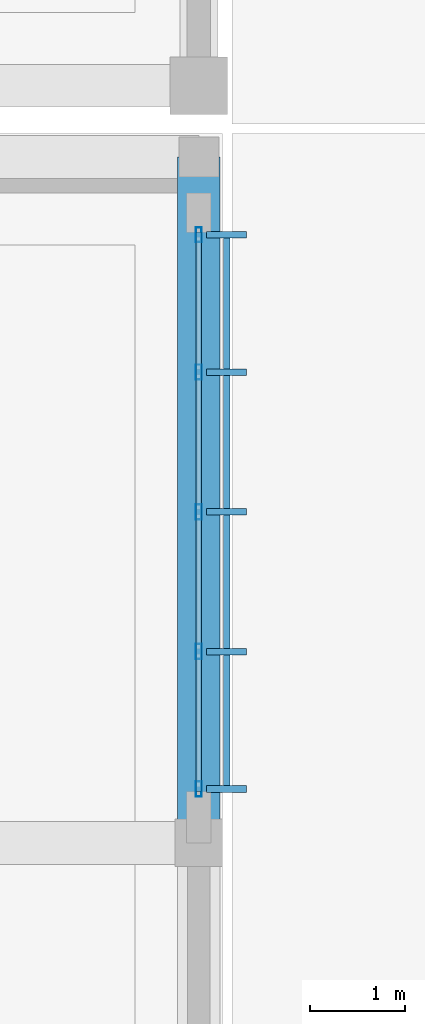
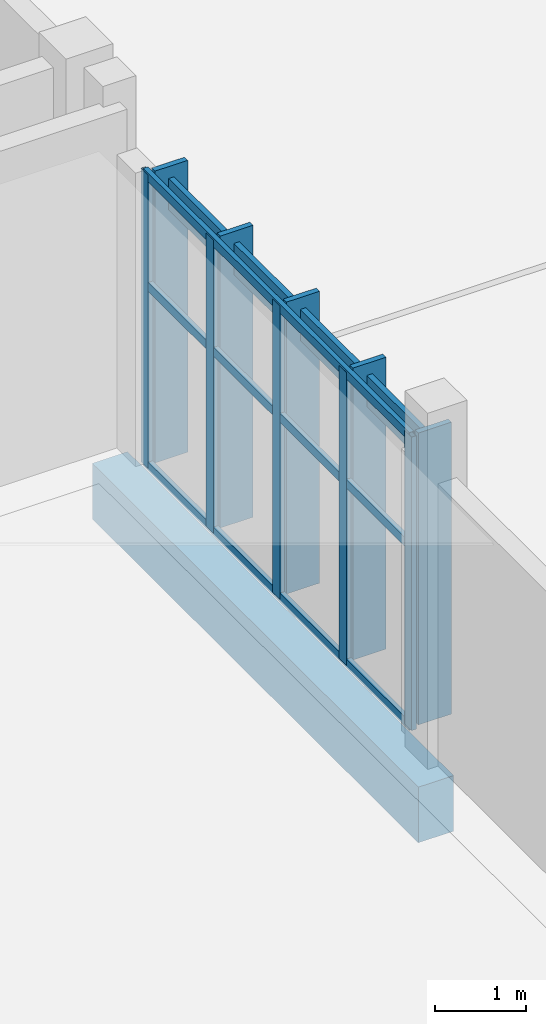
# One storey, part 59 of 151: 14 members, 1 beam, 1 element without a shape of its own.
"""IFC4 building model written with IfcOpenShell, lengths in metres."""

from ifc_helpers import new_model, si_unit, direction, frame, origin, origin_2d, place, context, subcontext, project, spatial, rectangle, hollow_rectangle, extrude, material, material_profile, profile_set, type_object, element, aggregate, save


model = new_model("IFC4")

# Units and contexts
model_context = context("Model", 3, precision=1e-05, world=origin(), true_north=direction((0.0, 1.0)))
body_context = subcontext(model_context, "Body", "Model", "MODEL_VIEW")
ifc_project = project(units=[si_unit("LENGTHUNIT", "METRE"), si_unit("AREAUNIT", "SQUARE_METRE"), si_unit("VOLUMEUNIT", "CUBIC_METRE"), si_unit("PLANEANGLEUNIT", "RADIAN"), si_unit("MASSUNIT", "GRAM", prefix="KILO")], contexts=[model_context])

# Site, building, storey
site_placement = place(None, origin())
site = spatial("IfcSite", under=ifc_project, at=site_placement, CompositionType="ELEMENT")
building_placement = place(site_placement, origin())
building = spatial("IfcBuilding", under=site, at=building_placement, Name="Chiffa Square Polytechnic", CompositionType="ELEMENT")
storey_placement = place(building_placement, origin())
storey = spatial("IfcBuildingStorey", under=building, at=storey_placement, Name="L00", CompositionType="ELEMENT", Elevation=0.0)

# Curtain wall, members
ifc_material_1 = material(Name="Aluminium EN AW-6060 T66 and glulam shading", Category="wood")
curtain_wall_type = type_object("IfcCurtainWallType", Name="CW-VERT-450X380", PredefinedType="USERDEFINED", material=ifc_material_1)
curtain_wall_placement = place(storey_placement, origin())
curtain_wall = element("IfcCurtainWall", 1, at=curtain_wall_placement, inside=storey, type_object=curtain_wall_type, Name="Curtain wall CW-V6-L00-250", ObjectType="CURTAIN WALL", PredefinedType="USERDEFINED")
ifc_material_2 = material(Name="Aluminium EN AW-6060 T66", Category="aluminium")
ifc_material_profile_1 = material_profile(ifc_material_2, hollow_rectangle(XDim=0.06005859375, YDim=0.159912109375, WallThickness=0.00390625, at=origin_2d()), Name="ALU 60x160x4")
ifc_profile_set_1 = profile_set([ifc_material_profile_1], Name="Aluminium EN AW-6060 T66")
member_type_1 = type_object("IfcMemberType", Name="CWM-ALU-65X150", PredefinedType="MULLION", material=ifc_profile_set_1)
member_1_placement = place(storey_placement, frame((48.0, 87.56494140625, 0.0), z_axis=(0.0, 0.0, 1.0), x_axis=(1.0, 0.0, 0.0)))
member_1 = element("IfcMember", 2, at=member_1_placement, type_object=member_type_1, Name="Curtain wall mullion CW-V6-L00-250-M00", PredefinedType="MULLION", context=body_context, shape_type="SweptSolid", body=[
    extrude(hollow_rectangle(XDim=0.06005859375, YDim=0.159912109375, WallThickness=0.00390625, at=origin_2d()), origin(), (0.0, 0.0, 1.0), 3.955078125),
])
member_2_placement = place(storey_placement, frame((48.0, 89.008056640625, 0.0), z_axis=(0.0, 0.0, 1.0), x_axis=(1.0, 0.0, 0.0)))
member_2 = element("IfcMember", 3, at=member_2_placement, type_object=member_type_1, Name="Curtain wall mullion CW-V6-L00-250-M01", PredefinedType="MULLION", context=body_context, shape_type="SweptSolid", body=[
    extrude(hollow_rectangle(XDim=0.06005859375, YDim=0.159912109375, WallThickness=0.00390625, at=origin_2d()), origin(), (0.0, 0.0, 1.0), 3.955078125),
])
member_3_placement = place(storey_placement, frame((48.0, 90.47509765625, 0.0), z_axis=(0.0, 0.0, 1.0), x_axis=(1.0, 0.0, 0.0)))
member_3 = element("IfcMember", 4, at=member_3_placement, type_object=member_type_1, Name="Curtain wall mullion CW-V6-L00-250-M02", PredefinedType="MULLION", context=body_context, shape_type="SweptSolid", body=[
    extrude(hollow_rectangle(XDim=0.06005859375, YDim=0.159912109375, WallThickness=0.00390625, at=origin_2d()), origin(), (0.0, 0.0, 1.0), 3.955078125),
])
member_4_placement = place(storey_placement, frame((48.0, 91.94189453125, 0.0), z_axis=(0.0, 0.0, 1.0), x_axis=(1.0, 0.0, 0.0)))
member_4 = element("IfcMember", 5, at=member_4_placement, type_object=member_type_1, Name="Curtain wall mullion CW-V6-L00-250-M03", PredefinedType="MULLION", context=body_context, shape_type="SweptSolid", body=[
    extrude(hollow_rectangle(XDim=0.06005859375, YDim=0.159912109375, WallThickness=0.00390625, at=origin_2d()), origin(), (0.0, 0.0, 1.0), 3.955078125),
])
member_5_placement = place(storey_placement, frame((48.0, 93.385009765625, 0.0), z_axis=(0.0, 0.0, 1.0), x_axis=(1.0, 0.0, 0.0)))
member_5 = element("IfcMember", 6, at=member_5_placement, type_object=member_type_1, Name="Curtain wall mullion CW-V6-L00-250-M04", PredefinedType="MULLION", context=body_context, shape_type="SweptSolid", body=[
    extrude(hollow_rectangle(XDim=0.06005859375, YDim=0.159912109375, WallThickness=0.00390625, at=origin_2d()), origin(), (0.0, 0.0, 1.0), 3.955078125),
])
ifc_material_3 = material(Name="Glulam GL28h", Category="wood")
ifc_material_profile_2 = material_profile(ifc_material_3, rectangle(XDim=0.070068359375, YDim=0.419921875, at=origin_2d()), Name="GL28h 70x420")
ifc_profile_set_2 = profile_set([ifc_material_profile_2], Name="Glulam GL28h")
member_type_2 = type_object("IfcMemberType", Name="CWM-GL-70X420", PredefinedType="MULLION", material=ifc_profile_set_2)
member_6_placement = place(storey_placement, frame((48.2919921875, 87.56494140625, 0.010009765625), z_axis=(0.0, 0.0, 1.0), x_axis=(0.0, 1.0, 0.0)))
member_6 = element("IfcMember", 7, at=member_6_placement, type_object=member_type_2, Name="Exterior glulam solar fin CW-V6-L00-250-FN00", PredefinedType="MULLION", context=body_context, shape_type="SweptSolid", body=[
    extrude(rectangle(XDim=0.070068359375, YDim=0.419921875, at=origin_2d()), origin(), (0.0, 0.0, 1.0), 3.93505859375),
])
member_7_placement = place(storey_placement, frame((48.2919921875, 89.008056640625, 0.010009765625), z_axis=(0.0, 0.0, 1.0), x_axis=(0.0, 1.0, 0.0)))
member_7 = element("IfcMember", 8, at=member_7_placement, type_object=member_type_2, Name="Exterior glulam solar fin CW-V6-L00-250-FN01", PredefinedType="MULLION", context=body_context, shape_type="SweptSolid", body=[
    extrude(rectangle(XDim=0.070068359375, YDim=0.419921875, at=origin_2d()), origin(), (0.0, 0.0, 1.0), 3.93505859375),
])
member_8_placement = place(storey_placement, frame((48.2919921875, 90.47509765625, 0.010009765625), z_axis=(0.0, 0.0, 1.0), x_axis=(0.0, 1.0, 0.0)))
member_8 = element("IfcMember", 9, at=member_8_placement, type_object=member_type_2, Name="Exterior glulam solar fin CW-V6-L00-250-FN02", PredefinedType="MULLION", context=body_context, shape_type="SweptSolid", body=[
    extrude(rectangle(XDim=0.070068359375, YDim=0.419921875, at=origin_2d()), origin(), (0.0, 0.0, 1.0), 3.93505859375),
])
member_9_placement = place(storey_placement, frame((48.2919921875, 91.94189453125, 0.010009765625), z_axis=(0.0, 0.0, 1.0), x_axis=(0.0, 1.0, 0.0)))
member_9 = element("IfcMember", 10, at=member_9_placement, type_object=member_type_2, Name="Exterior glulam solar fin CW-V6-L00-250-FN03", PredefinedType="MULLION", context=body_context, shape_type="SweptSolid", body=[
    extrude(rectangle(XDim=0.070068359375, YDim=0.419921875, at=origin_2d()), origin(), (0.0, 0.0, 1.0), 3.93505859375),
])
member_10_placement = place(storey_placement, frame((48.2919921875, 93.385009765625, 0.010009765625), z_axis=(0.0, 0.0, 1.0), x_axis=(0.0, 1.0, 0.0)))
member_10 = element("IfcMember", 11, at=member_10_placement, type_object=member_type_2, Name="Exterior glulam solar fin CW-V6-L00-250-FN04", PredefinedType="MULLION", context=body_context, shape_type="SweptSolid", body=[
    extrude(rectangle(XDim=0.070068359375, YDim=0.419921875, at=origin_2d()), origin(), (0.0, 0.0, 1.0), 3.93505859375),
])
ifc_material_profile_3 = material_profile(ifc_material_2, hollow_rectangle(XDim=0.06005859375, YDim=0.1201171875, WallThickness=0.00390625, at=origin_2d()), Name="ALU 60x120x4")
ifc_profile_set_3 = profile_set([ifc_material_profile_3], Name="Aluminium EN AW-6060 T66")
member_type_3 = type_object("IfcMemberType", Name="CWT-ALU-65X120", PredefinedType="USERDEFINED", material=ifc_profile_set_3)
member_11_placement = place(storey_placement, frame((48.0, 87.5380859375, 0.030029296875), z_axis=(0.0, 1.0, 0.0), x_axis=(-1.0, 0.0, 0.0)))
member_11 = element("IfcMember", 12, at=member_11_placement, type_object=member_type_3, Name="Curtain wall transom CW-V6-L00-250-T01", ObjectType="TRANSOM", PredefinedType="USERDEFINED", context=body_context, shape_type="SweptSolid", body=[
    extrude(hollow_rectangle(XDim=0.06005859375, YDim=0.1201171875, WallThickness=0.00390625, at=origin_2d()), origin(), (0.0, 0.0, 1.0), 5.8740234375),
])
member_12_placement = place(storey_placement, frame((48.0, 87.5380859375, 2.451904296875), z_axis=(0.0, 1.0, 0.0), x_axis=(-1.0, 0.0, 0.0)))
member_12 = element("IfcMember", 13, at=member_12_placement, type_object=member_type_3, Name="Curtain wall transom CW-V6-L00-250-T02", ObjectType="TRANSOM", PredefinedType="USERDEFINED", context=body_context, shape_type="SweptSolid", body=[
    extrude(hollow_rectangle(XDim=0.06005859375, YDim=0.1201171875, WallThickness=0.00390625, at=origin_2d()), origin(), (0.0, 0.0, 1.0), 5.8740234375),
])
member_13_placement = place(storey_placement, frame((48.0, 87.5380859375, 3.925048828125), z_axis=(0.0, 1.0, 0.0), x_axis=(-1.0, 0.0, 0.0)))
member_13 = element("IfcMember", 14, at=member_13_placement, type_object=member_type_3, Name="Curtain wall transom CW-V6-L00-250-T03", ObjectType="TRANSOM", PredefinedType="USERDEFINED", context=body_context, shape_type="SweptSolid", body=[
    extrude(hollow_rectangle(XDim=0.06005859375, YDim=0.1201171875, WallThickness=0.00390625, at=origin_2d()), origin(), (0.0, 0.0, 1.0), 5.8740234375),
])
ifc_material_profile_4 = material_profile(ifc_material_3, rectangle(XDim=0.070068359375, YDim=0.419921875, at=origin_2d()), Name="GL28h 70x420")
ifc_profile_set_4 = profile_set([ifc_material_profile_4], Name="Glulam GL28h")
member_type_4 = type_object("IfcMemberType", Name="CWT-GL-70X420", PredefinedType="USERDEFINED", material=ifc_profile_set_4)
member_14_placement = place(storey_placement, frame((48.2919921875, 87.56494140625, 3.574951171875), z_axis=(0.0, 1.0, 0.0), x_axis=(-1.0, 0.0, 0.0)))
member_14 = element("IfcMember", 15, at=member_14_placement, type_object=member_type_4, Name="Exterior glulam brise-soleil CW-V6-L00-250-BS01", ObjectType="TRANSOM", PredefinedType="USERDEFINED", context=body_context, shape_type="SweptSolid", body=[
    extrude(rectangle(XDim=0.070068359375, YDim=0.419921875, at=origin_2d()), origin(), (0.0, 0.0, 1.0), 5.820068359375),
])
aggregate(curtain_wall, [member_1, member_6, member_2, member_7, member_3, member_8, member_4, member_9, member_5, member_10, member_11, member_12, member_13, member_14])

# Beam
ifc_material_4 = material(Name="Concrete C35/45", Category="concrete")
ifc_material_profile_5 = material_profile(ifc_material_4, rectangle(XDim=0.449951171875, YDim=0.75, at=origin_2d()), Name="RC 450x750")
ifc_profile_set_5 = profile_set([ifc_material_profile_5], Name="Concrete C35/45")
beam_type = type_object("IfcBeamType", Name="GB-RC-450X750", PredefinedType="BEAM", material=ifc_profile_set_5)
beam_placement = place(storey_placement, frame((48.0, 87.0, -0.77490234375), z_axis=(0.0, 1.0, 0.0), x_axis=(-1.0, 0.0, 0.0)))
element("IfcBeam", 16, at=beam_placement, inside=storey, type_object=beam_type, Name="Ground tie beam GB-V6-Y-246", PredefinedType="BEAM", context=body_context, shape_type="SweptSolid", body=[
    extrude(rectangle(XDim=0.449951171875, YDim=0.75, at=origin_2d()), origin(), (0.0, 0.0, 1.0), 7.199951171875),
])

save(model, "model.ifc")
